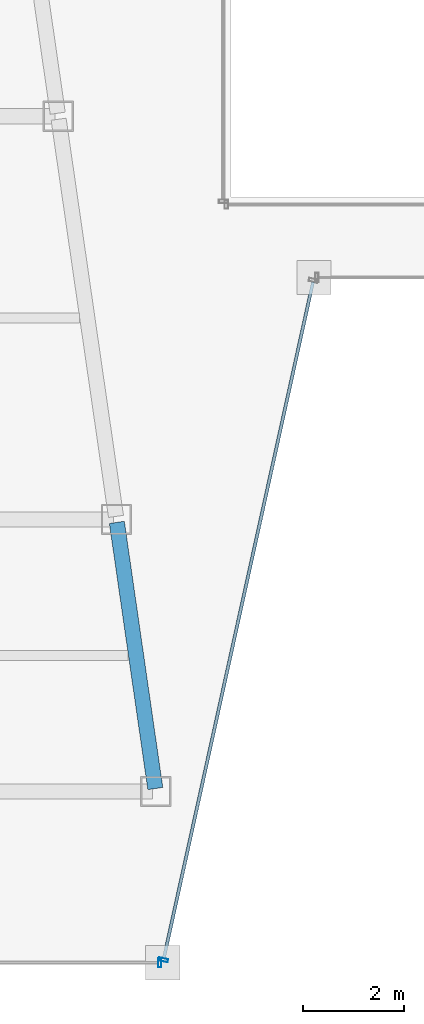
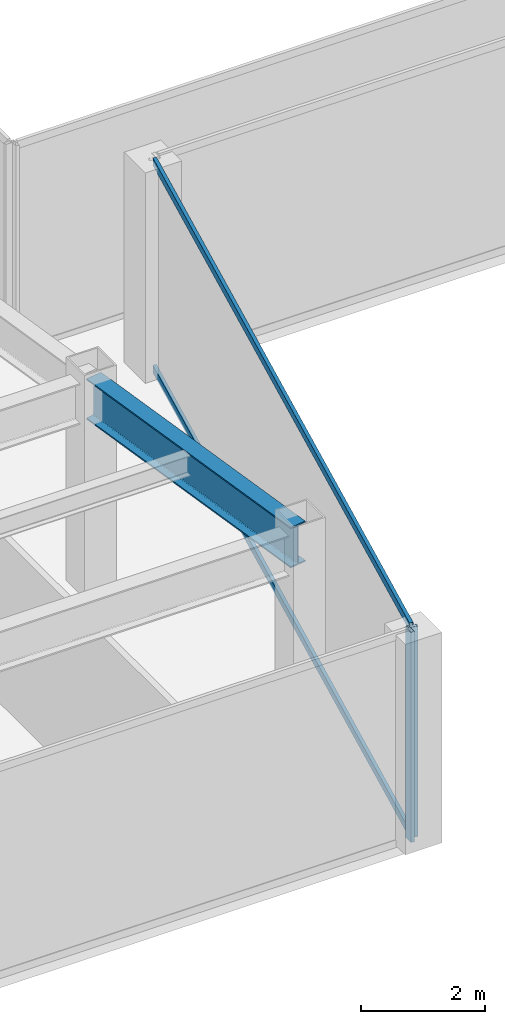
# One storey, part 5 of 37: 4 members, 1 beam, 2 elements without a shape of their own.
"""IFC4 building model written with IfcOpenShell, lengths in metres."""

from ifc_helpers import new_model, si_unit, direction, frame, origin, origin_2d, place, context, subcontext, project, spatial, hollow_rectangle, i_section, extrude, material, material_profile, profile_set, type_object, element, aggregate, save


model = new_model("IFC4")

# Units and contexts
model_context = context("Model", 3, precision=1e-05, world=origin(), true_north=direction((0.0, 1.0)))
body_context = subcontext(model_context, "Body", "Model", "MODEL_VIEW")
ifc_project = project(units=[si_unit("LENGTHUNIT", "METRE"), si_unit("AREAUNIT", "SQUARE_METRE"), si_unit("VOLUMEUNIT", "CUBIC_METRE"), si_unit("PLANEANGLEUNIT", "RADIAN"), si_unit("MASSUNIT", "GRAM", prefix="KILO")], contexts=[model_context])

# Site, building, storey
site_placement = place(None, origin())
site = spatial("IfcSite", under=ifc_project, at=site_placement, CompositionType="ELEMENT")
building_placement = place(site_placement, origin())
building = spatial("IfcBuilding", under=site, at=building_placement, Name="Saevonmaru Cultural Tower", CompositionType="ELEMENT")
storey_placement = place(building_placement, frame((0.0, 0.0, 114.800048828125)))
storey = spatial("IfcBuildingStorey", under=building, at=storey_placement, Name="L24", CompositionType="ELEMENT", Elevation=114.800048828125)

# Beam
ifc_material_1 = material(Name="Steel SM420", Category="steel")
ifc_material_profile_1 = material_profile(ifc_material_1, i_section(OverallWidth=0.300048828125, OverallDepth=0.800048828125, WebThickness=0.013916015625, FlangeThickness=0.02587890625, FilletRadius=0.028076171875, at=origin_2d()), Name="H-800x300x14x26")
ifc_profile_set_1 = profile_set([ifc_material_profile_1], Name="Steel SM420")
beam_type = type_object("IfcBeamType", Name="BM-G-H800", PredefinedType="BEAM", material=ifc_profile_set_1)
beam_placement = place(storey_placement, frame((22.699462890625, 10.659423828125, 3.75), z_axis=(-0.142977693794, 0.989725911087, 0.0), x_axis=(-0.989725911087, -0.142977693794, 0.0)))
element("IfcBeam", 1, at=beam_placement, inside=storey, type_object=beam_type, Name="L24 West Atrium Girder 1", PredefinedType="BEAM", context=body_context, shape_type="SweptSolid", body=[
    extrude(i_section(OverallWidth=0.300048828125, OverallDepth=0.800048828125, WebThickness=0.013916015625, FlangeThickness=0.02587890625, FilletRadius=0.028076171875, at=origin_2d()), origin(), (0.0, 0.0, 1.0), 5.336181640625),
])

# Curtain wall, member
ifc_material_2 = material(Name="Satin Bronze Anodised Aluminium", Category="aluminium")
curtain_wall_type = type_object("IfcCurtainWallType", Name="CW-TYP-A", PredefinedType="NOTDEFINED", material=ifc_material_2)
curtain_wall_1_placement = place(storey_placement, origin())
curtain_wall_1 = element("IfcCurtainWall", 2, at=curtain_wall_1_placement, inside=storey, type_object=curtain_wall_type, Name="L24 Unitised Curtain Wall E2", PredefinedType="NOTDEFINED")
ifc_material_profile_2 = material_profile(ifc_material_2, hollow_rectangle(XDim=0.06494140625, YDim=0.179931640625, WallThickness=0.00390625, at=origin_2d()), Name="ALU-MULL-180x65x4")
ifc_profile_set_2 = profile_set([ifc_material_profile_2], Name="Satin Bronze Anodised Aluminium")
member_type_1 = type_object("IfcMemberType", Name="ML-CW-180x65", PredefinedType="MULLION", material=ifc_profile_set_2)
member_1_placement = place(storey_placement, frame((22.788818359375, 7.199951171875, 0.0), z_axis=(0.0, 0.0, 1.0), x_axis=(1.0, 0.0, 0.0)))
member_1 = element("IfcMember", 3, at=member_1_placement, type_object=member_type_1, Name="CW-TW-L24-E2 mullion 2", PredefinedType="MULLION", context=body_context, shape_type="SweptSolid", body=[
    extrude(hollow_rectangle(XDim=0.06494140625, YDim=0.179931640625, WallThickness=0.00390625, at=origin_2d()), origin(), (0.0, 0.0, 1.0), 4.14990234375),
])
aggregate(curtain_wall_1, [member_1])

# Curtain wall, members
curtain_wall_2_placement = place(storey_placement, origin())
curtain_wall_2 = element("IfcCurtainWall", 4, at=curtain_wall_2_placement, inside=storey, type_object=curtain_wall_type, Name="L24 Unitised Curtain Wall E3", PredefinedType="NOTDEFINED")
member_2_placement = place(storey_placement, frame((22.86181640625, 7.258544921875, 0.0), z_axis=(0.0, 0.0, 1.0), x_axis=(0.215413319953, 0.976522965212, 0.0)))
member_2 = element("IfcMember", 5, at=member_2_placement, type_object=member_type_1, Name="CW-TW-L24-E3 mullion 1", PredefinedType="MULLION", context=body_context, shape_type="SweptSolid", body=[
    extrude(hollow_rectangle(XDim=0.06494140625, YDim=0.179931640625, WallThickness=0.00390625, at=origin_2d()), origin(), (0.0, 0.0, 1.0), 4.14990234375),
])
ifc_material_profile_3 = material_profile(ifc_material_2, hollow_rectangle(XDim=0.06494140625, YDim=0.14990234375, WallThickness=0.00390625, at=origin_2d()), Name="ALU-TRAN-150x65x4")
ifc_profile_set_3 = profile_set([ifc_material_profile_3], Name="Satin Bronze Anodised Aluminium")
member_type_2 = type_object("IfcMemberType", Name="TR-CW-150x65", PredefinedType="USERDEFINED", material=ifc_profile_set_3)
member_3_placement = place(storey_placement, frame((22.868896484375, 7.290283203125, 0.032470703125), z_axis=(0.21541214732, 0.976523223885, 0.0), x_axis=(-0.976523223885, 0.21541214732, 0.0)))
member_3 = element("IfcMember", 6, at=member_3_placement, type_object=member_type_2, Name="CW-TW-L24-E3 transom 1.1", ObjectType="TRANSOM", PredefinedType="USERDEFINED", context=body_context, shape_type="SweptSolid", body=[
    extrude(hollow_rectangle(XDim=0.06494140625, YDim=0.14990234375, WallThickness=0.00390625, at=origin_2d()), origin(), (0.0, 0.0, 1.0), 13.741943359375),
])
member_4_placement = place(storey_placement, frame((22.868896484375, 7.290283203125, 4.117431640625), z_axis=(0.21541214732, 0.976523223885, 0.0), x_axis=(-0.976523223885, 0.21541214732, 0.0)))
member_4 = element("IfcMember", 7, at=member_4_placement, type_object=member_type_2, Name="CW-TW-L24-E3 transom 1.2", ObjectType="TRANSOM", PredefinedType="USERDEFINED", context=body_context, shape_type="SweptSolid", body=[
    extrude(hollow_rectangle(XDim=0.06494140625, YDim=0.14990234375, WallThickness=0.00390625, at=origin_2d()), origin(), (0.0, 0.0, 1.0), 13.741943359375),
])
aggregate(curtain_wall_2, [member_2, member_3, member_4])

save(model, "model.ifc")
